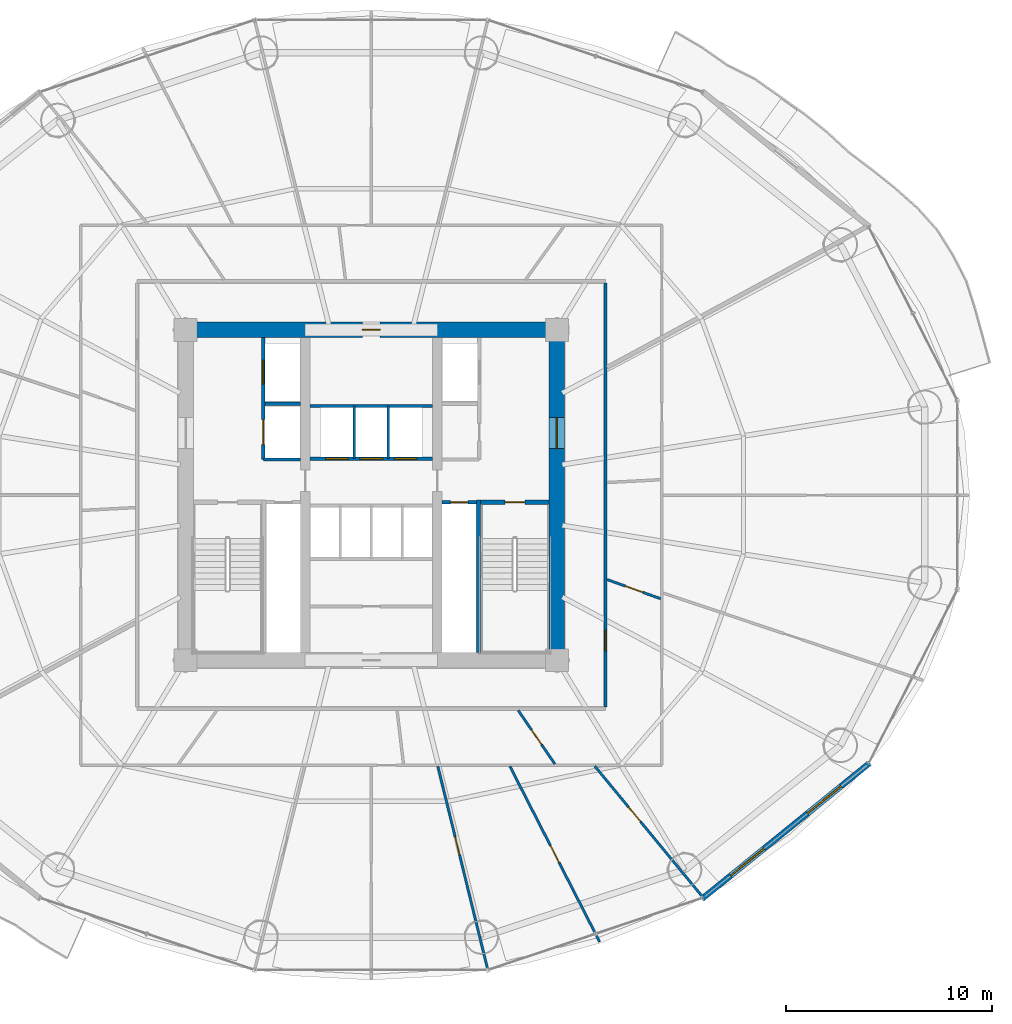
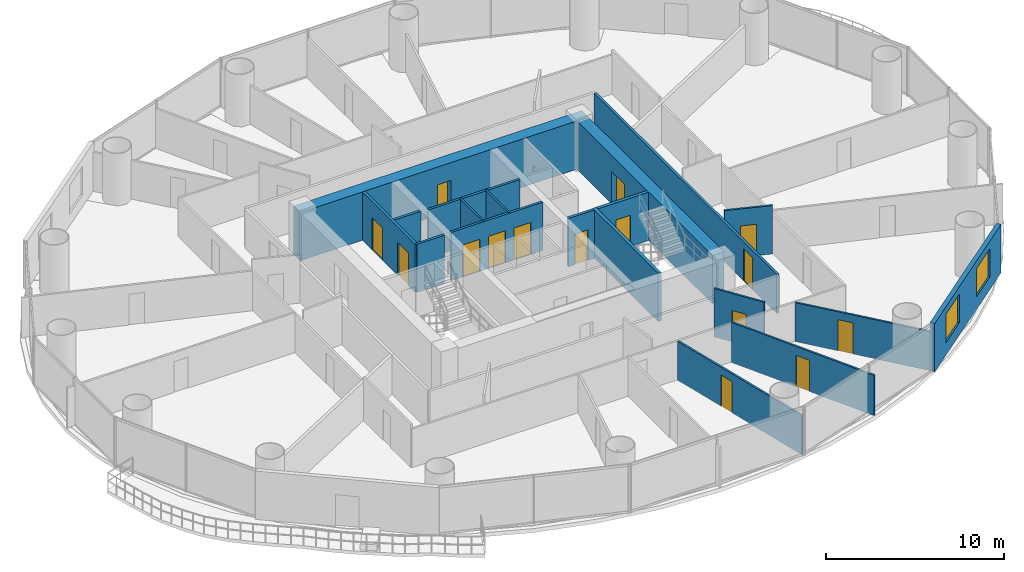
# One storey, part 24 of 30: 19 walls, 15 doors, 2 windows, 17 openings.
"""IFC4 building model written with IfcOpenShell, lengths in metres."""

from ifc_helpers import new_model, si_unit, direction, frame, frame_2d, origin, place, context, subcontext, project, spatial, rectangle, extrude, source, transform, mapped, material, layer, layer_set, type_object, element, fill, save


model = new_model("IFC4")

# Units and contexts
model_context = context("Model", 3, precision=1e-05, world=origin(), true_north=direction((-0.2419218956, 0.970295726276)))
body_context = subcontext(model_context, "Body", "Model", "MODEL_VIEW")
ifc_project = project(units=[si_unit("LENGTHUNIT", "METRE"), si_unit("AREAUNIT", "SQUARE_METRE"), si_unit("VOLUMEUNIT", "CUBIC_METRE"), si_unit("PLANEANGLEUNIT", "RADIAN"), si_unit("MASSUNIT", "GRAM", prefix="KILO")], contexts=[model_context])

# Site, building, storey
site_placement = place(None, origin())
site = spatial("IfcSite", under=ifc_project, at=site_placement, CompositionType="ELEMENT")
building_placement = place(site_placement, origin())
building = spatial("IfcBuilding", under=site, at=building_placement, Name="Cobrevalo Terracotta Tower", CompositionType="ELEMENT")
storey_placement = place(building_placement, frame((0.0, 0.0, 60.0)))
storey = spatial("IfcBuildingStorey", under=building, at=storey_placement, Name="L15", CompositionType="ELEMENT", Elevation=60.0)

# Wall, opening, door
ifc_material_1 = material(Name="Concrete C60", Category="concrete")
ifc_layer_1 = layer(ifc_material_1, 0.75)
ifc_layer_set_1 = layer_set([ifc_layer_1], Name="Concrete C60")
wall_type_1 = type_object("IfcWallType", Name="Core shear wall 750 mm Concrete C60", PredefinedType="SHEAR", material=ifc_layer_set_1)
wall_1_placement = place(storey_placement, frame((28.625, 34.800048828125, 0.0), z_axis=(0.0, 0.0, 1.0), x_axis=(1.0, 0.0, 0.0)))
wall_1 = element("IfcWall", 1, at=wall_1_placement, inside=storey, type_object=wall_type_1, Name="L15 north core shear wall", PredefinedType="SHEAR", context=body_context, shape_type="SweptSolid", body=[
    extrude(rectangle(XDim=18.75, YDim=0.75, at=frame_2d((9.375, 0.0))), origin(), (0.0, 0.0, 1.0), 3.320068359375),
])
opening_1_placement = place(wall_1_placement, frame((8.949951171875, 0.0, 0.0)))
opening_1 = element("IfcOpeningElement", 2, at=opening_1_placement, cuts=wall_1, Name="Opening ID-22", PredefinedType="OPENING", context=body_context, shape_type="SweptSolid", body=[
    extrude(rectangle(XDim=0.85009765625, YDim=2.10009765625, at=frame_2d((0.425048828125, 1.050048828125))), frame((0.0, 0.385009765625, 0.0), z_axis=(0.0, -1.0, 0.0), x_axis=(1.0, 0.0, 0.0)), (0.0, 0.0, 1.0), 0.77001953125),
])
ifc_material_2 = material(Name="Powder-coated steel", Category="steel")
door_type_1 = type_object("IfcDoorType", Name="Riser shaft & meter closet fire access door 850x2100 EI 60", OperationType="NOTDEFINED", PredefinedType="DOOR", material=ifc_material_2)
shared_shape_1 = source(origin(), body_context, "Body", "SweptSolid", [
    extrude(rectangle(XDim=0.85009765625, YDim=2.10009765625, at=frame_2d((0.425048828125, 1.050048828125))), frame((0.0, 0.02490234375, 0.0), z_axis=(0.0, -1.0, 0.0), x_axis=(1.0, 0.0, 0.0)), (0.0, 0.0, 1.0), 0.050048828125),
])
door_1_placement = place(opening_1_placement, frame((0.85009765625, 0.0, 0.0), z_axis=(0.0, 0.0, 1.0), x_axis=(-1.0, 0.0, 0.0)))
door_1 = element("IfcDoor", 3, at=door_1_placement, inside=storey, type_object=door_type_1, Name="L15 core north service door Floor Electrical Switchroom", OperationType="SINGLE_SWING_LEFT", OverallHeight=2.10009765625, OverallWidth=0.85009765625, PredefinedType="DOOR", context=body_context, shape_type="MappedRepresentation", body=[
    mapped(shared_shape_1, transform((0.0, 0.0, 0.0), scale=1.0)),
])
fill(opening_1, door_1)

wall_2_placement = place(storey_placement, frame((47.0, 19.175048828125, 0.0), z_axis=(0.0, 0.0, 1.0), x_axis=(0.0, 1.0, 0.0)))
wall_2 = element("IfcWall", 4, at=wall_2_placement, inside=storey, type_object=wall_type_1, Name="L15 east core shear wall", PredefinedType="SHEAR", context=body_context, shape_type="SweptSolid", body=[
    extrude(rectangle(XDim=15.25, YDim=0.75, at=frame_2d((7.625, 0.0))), origin(), (0.0, 0.0, 1.0), 3.320068359375),
])
opening_2_placement = place(wall_2_placement, frame((9.875, 0.0, 0.0)))
opening_2 = element("IfcOpeningElement", 5, at=opening_2_placement, cuts=wall_2, Name="Opening ID-14", PredefinedType="OPENING", context=body_context, shape_type="SweptSolid", body=[
    extrude(rectangle(XDim=1.5, YDim=2.199951171875, at=frame_2d((0.75, 1.10009765625))), frame((0.0, 0.385009765625, 0.0), z_axis=(0.0, -1.0, 0.0), x_axis=(1.0, 0.0, 0.0)), (0.0, 0.0, 1.0), 0.77001953125),
])
ifc_material_3 = material(Name="Galvanized fire-rated steel", Category="steel")
door_type_2 = type_object("IfcDoorType", Name="Core cross-lobby double fire door 1500x2200 EI 90", OperationType="NOTDEFINED", PredefinedType="DOOR", material=ifc_material_3)
shared_shape_2 = source(origin(), body_context, "Body", "SweptSolid", [
    extrude(rectangle(XDim=1.5, YDim=2.199951171875, at=frame_2d((0.75, 1.10009765625))), frame((0.0, 0.02490234375, 0.0), z_axis=(0.0, -1.0, 0.0), x_axis=(1.0, 0.0, 0.0)), (0.0, 0.0, 1.0), 0.050048828125),
])
door_2_placement = place(opening_2_placement, frame((1.5, 0.0, 0.0), z_axis=(0.0, 0.0, 1.0), x_axis=(-1.0, 0.0, 0.0)))
door_2 = element("IfcDoor", 6, at=door_2_placement, inside=storey, type_object=door_type_2, Name="L15 east firefighting lobby entrance door", OperationType="DOUBLE_DOOR_SINGLE_SWING", OverallHeight=2.199951171875, OverallWidth=1.5, PredefinedType="DOOR", context=body_context, shape_type="MappedRepresentation", body=[
    mapped(shared_shape_2, transform((0.0, 0.0, 0.0), scale=1.0)),
])
fill(opening_2, door_2)

# Walls
ifc_material_4 = material(Name="Gypsum board on steel stud", Category="steel")
ifc_layer_2 = layer(ifc_material_4, 0.159912109375)
ifc_layer_set_2 = layer_set([ifc_layer_2], Name="Gypsum board on steel stud")
wall_type_2 = type_object("IfcWallType", Name="Fire-rated corridor acoustic partition wall 160 mm", PredefinedType="PARTITIONING", material=ifc_layer_set_2)
wall_3_placement = place(storey_placement, frame((32.860107421875, 31.219970703125, 0.0), z_axis=(0.0, 0.0, 1.0), x_axis=(1.0, 0.0, 0.0)))
element("IfcWall", 7, at=wall_3_placement, inside=storey, type_object=wall_type_2, Name="L15 interior partition IW-L15-FF1-M", PredefinedType="PARTITIONING", context=body_context, shape_type="SweptSolid", body=[
    extrude(rectangle(XDim=1.71484375, YDim=0.159912109375, at=frame_2d((0.857421875, 0.0))), origin(), (0.0, 0.0, 1.0), 3.320068359375),
])
wall_4_placement = place(storey_placement, frame((32.77001953125, 28.52001953125, 0.0), z_axis=(0.0, 0.0, 1.0), x_axis=(1.0, 0.0, 0.0)))
element("IfcWall", 8, at=wall_4_placement, inside=storey, type_object=wall_type_2, Name="L15 interior partition IW-L15-FF1-S", PredefinedType="PARTITIONING", context=body_context, shape_type="SweptSolid", body=[
    extrude(rectangle(XDim=1.804931640625, YDim=0.159912109375, at=frame_2d((0.90234375, 0.0))), origin(), (0.0, 0.0, 1.0), 3.320068359375),
])

# Wall, openings, doors
wall_5_placement = place(storey_placement, frame((35.02490234375, 28.56005859375, 0.0), z_axis=(0.0, 0.0, 1.0), x_axis=(1.0, 0.0, 0.0)))
wall_5 = element("IfcWall", 9, at=wall_5_placement, inside=storey, type_object=wall_type_2, Name="L15 interior partition IW-L15-LB-S", PredefinedType="PARTITIONING", context=body_context, shape_type="SweptSolid", body=[
    extrude(rectangle(XDim=5.9501953125, YDim=0.159912109375, at=frame_2d((2.97509765625, 0.0))), origin(), (0.0, 0.0, 1.0), 3.320068359375),
])
opening_3_placement = place(wall_5_placement, frame((0.760009765625, 0.0, 0.0)))
opening_3 = element("IfcOpeningElement", 10, at=opening_3_placement, cuts=wall_5, Name="Opening LD-01", PredefinedType="OPENING", context=body_context, shape_type="SweptSolid", body=[
    extrude(rectangle(XDim=1.10009765625, YDim=2.199951171875, at=frame_2d((0.550048828125, 1.10009765625))), frame((0.0, 0.08984375, 0.0), z_axis=(0.0, -1.0, 0.0), x_axis=(1.0, 0.0, 0.0)), (0.0, 0.0, 1.0), 0.179931640625),
])
opening_4_placement = place(wall_5_placement, frame((2.425048828125, 0.0, 0.0)))
opening_4 = element("IfcOpeningElement", 11, at=opening_4_placement, cuts=wall_5, Name="Opening LD-01", PredefinedType="OPENING", context=body_context, shape_type="SweptSolid", body=[
    extrude(rectangle(XDim=1.10009765625, YDim=2.199951171875, at=frame_2d((0.550048828125, 1.10009765625))), frame((0.0, 0.08984375, 0.0), z_axis=(0.0, -1.0, 0.0), x_axis=(1.0, 0.0, 0.0)), (0.0, 0.0, 1.0), 0.179931640625),
])
opening_5_placement = place(wall_5_placement, frame((4.090087890625, 0.0, 0.0)))
opening_5 = element("IfcOpeningElement", 12, at=opening_5_placement, cuts=wall_5, Name="Opening LD-01", PredefinedType="OPENING", context=body_context, shape_type="SweptSolid", body=[
    extrude(rectangle(XDim=1.10009765625, YDim=2.199951171875, at=frame_2d((0.550048828125, 1.10009765625))), frame((0.0, 0.08984375, 0.0), z_axis=(0.0, -1.0, 0.0), x_axis=(1.0, 0.0, 0.0)), (0.0, 0.0, 1.0), 0.179931640625),
])
ifc_material_5 = material(Name="Brushed stainless steel", Category="steel")
door_type_3 = type_object("IfcDoorType", Name="Passenger lift landing bi-parting sliding door 1100x2200 EI 90", OperationType="DOUBLE_DOOR_SLIDING", PredefinedType="DOOR", material=ifc_material_5)
shared_shape_3 = source(origin(), body_context, "Body", "SweptSolid", [
    extrude(rectangle(XDim=1.10009765625, YDim=2.199951171875, at=frame_2d((0.550048828125, 1.10009765625))), frame((0.0, 0.02490234375, 0.0), z_axis=(0.0, -1.0, 0.0), x_axis=(1.0, 0.0, 0.0)), (0.0, 0.0, 1.0), 0.050048828125),
])
door_3_placement = place(opening_3_placement, origin())
door_3 = element("IfcDoor", 13, at=door_3_placement, inside=storey, type_object=door_type_3, Name="L15 lift landing door PL-L1", OperationType="DOUBLE_DOOR_SLIDING", OverallHeight=2.199951171875, OverallWidth=1.10009765625, PredefinedType="DOOR", context=body_context, shape_type="MappedRepresentation", body=[
    mapped(shared_shape_3, transform((0.0, 0.0, 0.0), scale=1.0)),
])
fill(opening_3, door_3)
door_4_placement = place(opening_4_placement, origin())
door_4 = element("IfcDoor", 14, at=door_4_placement, inside=storey, type_object=door_type_3, Name="L15 lift landing door PL-L2", OperationType="DOUBLE_DOOR_SLIDING", OverallHeight=2.199951171875, OverallWidth=1.10009765625, PredefinedType="DOOR", context=body_context, shape_type="MappedRepresentation", body=[
    mapped(shared_shape_3, transform((0.0, 0.0, 0.0), scale=1.0)),
])
fill(opening_4, door_4)
door_5_placement = place(opening_5_placement, origin())
door_5 = element("IfcDoor", 15, at=door_5_placement, inside=storey, type_object=door_type_3, Name="L15 lift landing door PL-L3", OperationType="DOUBLE_DOOR_SLIDING", OverallHeight=2.199951171875, OverallWidth=1.10009765625, PredefinedType="DOOR", context=body_context, shape_type="MappedRepresentation", body=[
    mapped(shared_shape_3, transform((0.0, 0.0, 0.0), scale=1.0)),
])
fill(opening_5, door_5)

# Wall
wall_6_placement = place(storey_placement, frame((35.02490234375, 31.1201171875, 0.0), z_axis=(0.0, 0.0, 1.0), x_axis=(1.0, 0.0, 0.0)))
element("IfcWall", 16, at=wall_6_placement, inside=storey, type_object=wall_type_2, Name="L15 interior partition IW-L15-LB-N", PredefinedType="PARTITIONING", context=body_context, shape_type="SweptSolid", body=[
    extrude(rectangle(XDim=5.9501953125, YDim=0.159912109375, at=frame_2d((2.97509765625, 0.0))), origin(), (0.0, 0.0, 1.0), 3.320068359375),
])

# Wall, opening, door
wall_7_placement = place(storey_placement, frame((49.35498046875, 16.52490234375, 0.0), z_axis=(0.0, 0.0, 1.0), x_axis=(0.0, 1.0, 0.0)))
wall_7 = element("IfcWall", 17, at=wall_7_placement, inside=storey, type_object=wall_type_2, Name="L15 interior partition IW-L15-COR-E", PredefinedType="PARTITIONING", context=body_context, shape_type="SweptSolid", body=[
    extrude(rectangle(XDim=20.550048828125, YDim=0.159912109375, at=frame_2d((10.27490234375, 0.0))), origin(), (0.0, 0.0, 1.0), 2.68798828125),
])
opening_6_placement = place(wall_7_placement, frame((2.733154296875, 0.0, 0.0)))
opening_6 = element("IfcOpeningElement", 18, at=opening_6_placement, cuts=wall_7, Name="Opening ID-05", PredefinedType="OPENING", context=body_context, shape_type="SweptSolid", body=[
    extrude(rectangle(XDim=0.97998046875, YDim=2.199951171875, at=frame_2d((0.489990234375, 1.10009765625))), frame((0.0, 0.08984375, 0.0), z_axis=(0.0, -1.0, 0.0), x_axis=(1.0, 0.0, 0.0)), (0.0, 0.0, 1.0), 0.179931640625),
])
ifc_material_6 = material(Name="Solid hardwood timber", Category="wood")
door_type_4 = type_object("IfcDoorType", Name="Residence entrance fire-rated acoustic timber door 980x2200 EI 60", OperationType="NOTDEFINED", PredefinedType="DOOR", material=ifc_material_6)
shared_shape_4 = source(origin(), body_context, "Body", "SweptSolid", [
    extrude(rectangle(XDim=0.97998046875, YDim=2.199951171875, at=frame_2d((0.489990234375, 1.10009765625))), frame((0.0, 0.02490234375, 0.0), z_axis=(0.0, -1.0, 0.0), x_axis=(1.0, 0.0, 0.0)), (0.0, 0.0, 1.0), 0.050048828125),
])
door_6_placement = place(opening_6_placement, frame((0.97998046875, 0.0, 0.0), z_axis=(0.0, 0.0, 1.0), x_axis=(-1.0, 0.0, 0.0)))
door_6 = element("IfcDoor", 19, at=door_6_placement, inside=storey, type_object=door_type_4, Name="Flat L15B fire-rated apartment entrance door", OperationType="SINGLE_SWING_LEFT", OverallHeight=2.199951171875, OverallWidth=0.97998046875, PredefinedType="DOOR", context=body_context, shape_type="MappedRepresentation", body=[
    mapped(shared_shape_4, transform((0.0, 0.0, 0.0), scale=1.0)),
])
fill(opening_6, door_6)

ifc_layer_3 = layer(ifc_material_4, 0.179931640625)
ifc_layer_set_3 = layer_set([ifc_layer_3], Name="Gypsum board on steel stud")
wall_type_3 = type_object("IfcWallType", Name="Fire-rated shaft & lobby acoustic partition wall 180 mm", PredefinedType="PARTITIONING", material=ifc_layer_set_3)
wall_8_placement = place(storey_placement, frame((41.425048828125, 26.449951171875, 0.0), z_axis=(0.0, 0.0, 1.0), x_axis=(1.0, 0.0, 0.0)))
wall_8 = element("IfcWall", 20, at=wall_8_placement, inside=storey, type_object=wall_type_3, Name="L15 interior partition IW-L15-RSE-N", PredefinedType="PARTITIONING", context=body_context, shape_type="SweptSolid", body=[
    extrude(rectangle(XDim=1.675048828125, YDim=0.179931640625, at=frame_2d((0.83740234375, 0.0))), origin(), (0.0, 0.0, 1.0), 3.320068359375),
])
opening_7_placement = place(wall_8_placement, frame((0.41259765625, 0.0, 0.0)))
opening_7 = element("IfcOpeningElement", 21, at=opening_7_placement, cuts=wall_8, Name="Opening ID-22", PredefinedType="OPENING", context=body_context, shape_type="SweptSolid", body=[
    extrude(rectangle(XDim=0.85009765625, YDim=2.10009765625, at=frame_2d((0.425048828125, 1.050048828125))), frame((0.0, 0.10009765625, 0.0), z_axis=(0.0, -1.0, 0.0), x_axis=(1.0, 0.0, 0.0)), (0.0, 0.0, 1.0), 0.199951171875),
])
door_7_placement = place(opening_7_placement, origin())
door_7 = element("IfcDoor", 22, at=door_7_placement, inside=storey, type_object=door_type_1, Name="L15 riser access door RSE", OperationType="SINGLE_SWING_RIGHT", OverallHeight=2.10009765625, OverallWidth=0.85009765625, PredefinedType="DOOR", context=body_context, shape_type="MappedRepresentation", body=[
    mapped(shared_shape_1, transform((0.0, 0.0, 0.0), scale=1.0)),
])
fill(opening_7, door_7)

# Wall, openings, doors
wall_9_placement = place(storey_placement, frame((32.77001953125, 28.52001953125, 0.0), z_axis=(0.0, 0.0, 1.0), x_axis=(0.0, 1.0, 0.0)))
wall_9 = element("IfcWall", 23, at=wall_9_placement, inside=storey, type_object=wall_type_3, Name="L15 interior partition IW-L15-FF1-W", PredefinedType="PARTITIONING", context=body_context, shape_type="SweptSolid", body=[
    extrude(rectangle(XDim=5.905029296875, YDim=0.179931640625, at=frame_2d((2.95263671875, 0.0))), origin(), (0.0, 0.0, 1.0), 3.320068359375),
])
opening_8_placement = place(wall_9_placement, frame((3.655029296875, 0.0, 0.0)))
opening_8 = element("IfcOpeningElement", 24, at=opening_8_placement, cuts=wall_9, Name="Opening LD-02", PredefinedType="OPENING", context=body_context, shape_type="SweptSolid", body=[
    extrude(rectangle(XDim=1.14990234375, YDim=2.199951171875, at=frame_2d((0.574951171875, 1.10009765625))), frame((0.0, 0.10009765625, 0.0), z_axis=(0.0, -1.0, 0.0), x_axis=(1.0, 0.0, 0.0)), (0.0, 0.0, 1.0), 0.199951171875),
])
opening_9_placement = place(wall_9_placement, frame((0.72998046875, 0.0, 0.0)))
opening_9 = element("IfcOpeningElement", 25, at=opening_9_placement, cuts=wall_9, Name="Opening LD-03", PredefinedType="OPENING", context=body_context, shape_type="SweptSolid", body=[
    extrude(rectangle(XDim=1.199951171875, YDim=2.25, at=frame_2d((0.60009765625, 1.125))), frame((0.0, 0.10009765625, 0.0), z_axis=(0.0, -1.0, 0.0), x_axis=(1.0, 0.0, 0.0)), (0.0, 0.0, 1.0), 0.199951171875),
])
door_type_5 = type_object("IfcDoorType", Name="Firefighting lift landing bi-parting sliding door 1150x2200 EI 120", OperationType="DOUBLE_DOOR_SLIDING", PredefinedType="DOOR", material=ifc_material_5)
shared_shape_5 = source(origin(), body_context, "Body", "SweptSolid", [
    extrude(rectangle(XDim=1.14990234375, YDim=2.199951171875, at=frame_2d((0.574951171875, 1.10009765625))), frame((0.0, 0.02490234375, 0.0), z_axis=(0.0, -1.0, 0.0), x_axis=(1.0, 0.0, 0.0)), (0.0, 0.0, 1.0), 0.050048828125),
])
door_8_placement = place(opening_8_placement, origin())
door_8 = element("IfcDoor", 26, at=door_8_placement, inside=storey, type_object=door_type_5, Name="L15 lift landing door FF-1", OperationType="DOUBLE_DOOR_SLIDING", OverallHeight=2.199951171875, OverallWidth=1.14990234375, PredefinedType="DOOR", context=body_context, shape_type="MappedRepresentation", body=[
    mapped(shared_shape_5, transform((0.0, 0.0, 0.0), scale=1.0)),
])
fill(opening_8, door_8)
door_type_6 = type_object("IfcDoorType", Name="Service lift landing bi-parting sliding door 1200x2250 EI 120", OperationType="DOUBLE_DOOR_SLIDING", PredefinedType="DOOR", material=ifc_material_5)
shared_shape_6 = source(origin(), body_context, "Body", "SweptSolid", [
    extrude(rectangle(XDim=1.199951171875, YDim=2.25, at=frame_2d((0.60009765625, 1.125))), frame((0.0, 0.02490234375, 0.0), z_axis=(0.0, -1.0, 0.0), x_axis=(1.0, 0.0, 0.0)), (0.0, 0.0, 1.0), 0.050048828125),
])
door_9_placement = place(opening_9_placement, origin())
door_9 = element("IfcDoor", 27, at=door_9_placement, inside=storey, type_object=door_type_6, Name="L15 lift landing door SV-1", OperationType="DOUBLE_DOOR_SLIDING", OverallHeight=2.25, OverallWidth=1.199951171875, PredefinedType="DOOR", context=body_context, shape_type="MappedRepresentation", body=[
    mapped(shared_shape_6, transform((0.0, 0.0, 0.0), scale=1.0)),
])
fill(opening_9, door_9)

# Walls
ifc_material_7 = material(Name="Autoclaved aerated concrete block", Category="concrete")
ifc_layer_4 = layer(ifc_material_7, 0.1201171875)
ifc_layer_set_4 = layer_set([ifc_layer_4], Name="Autoclaved aerated concrete block")
wall_type_4 = type_object("IfcWallType", Name="Fire-rated wet-room & core service partition 120 mm", PredefinedType="PARTITIONING", material=ifc_layer_set_4)
for number, where, z_axis, x_axis, name in (
    (28, (37.169921875, 28.56005859375, 0.0), (0.0, 0.0, 1.0), (0.0, 1.0, 0.0), "L15 interior partition IW-L15-LB-D1"),
    (29, (38.830078125, 28.56005859375, 0.0), (0.0, 0.0, 1.0), (0.0, 1.0, 0.0), "L15 interior partition IW-L15-LB-D2"),
):
    element("IfcWall", number, at=place(storey_placement, frame(where, z_axis=z_axis, x_axis=x_axis)), inside=storey, type_object=wall_type_4, Name=name, PredefinedType="PARTITIONING", context=body_context, shape_type="SweptSolid", body=[
        extrude(rectangle(XDim=2.56005859375, YDim=0.1201171875, at=frame_2d((1.280029296875, 0.0))), origin(), (0.0, 0.0, 1.0), 3.320068359375),
    ])

# Wall, openings, windows
ifc_layer_5 = layer(ifc_material_7, 0.280029296875)
ifc_layer_set_5 = layer_set([ifc_layer_5], Name="Autoclaved aerated concrete block")
wall_type_5 = type_object("IfcWallType", Name="Insulated tower spandrel & pier wall 280 mm with terracotta rainscreen", PredefinedType="SOLIDWALL", material=ifc_layer_set_5)
wall_10_placement = place(storey_placement, frame((54.03271484375, 7.235107421875, 0.0), z_axis=(0.0, 0.0, 1.0), x_axis=(0.777016782851, 0.629479879875, 0.0)))
wall_10 = element("IfcWall", 30, at=wall_10_placement, inside=storey, type_object=wall_type_5, Name="L15 terracotta rainscreen pier wall S14", PredefinedType="SOLIDWALL", context=body_context, shape_type="SweptSolid", body=[
    extrude(rectangle(XDim=10.446533203125, YDim=0.280029296875, at=frame_2d((5.22314453125, 0.0))), origin(), (0.0, 0.0, 1.0), 3.320068359375),
])
opening_10_placement = place(wall_10_placement, frame((1.7705078125, 0.0, 0.85009765625)))
opening_10 = element("IfcOpeningElement", 31, at=opening_10_placement, cuts=wall_10, Name="Opening WN-10", PredefinedType="OPENING", context=body_context, shape_type="SweptSolid", body=[
    extrude(rectangle(XDim=2.10009765625, YDim=1.949951171875, at=frame_2d((1.050048828125, 0.97509765625))), frame((0.0, 0.14990234375, 0.0), z_axis=(0.0, -1.0, 0.0), x_axis=(1.0, 0.0, 0.0)), (0.0, 0.0, 1.0), 0.300048828125),
])
opening_11_placement = place(wall_10_placement, frame((6.576171875, 0.0, 0.85009765625)))
opening_11 = element("IfcOpeningElement", 32, at=opening_11_placement, cuts=wall_10, Name="Opening WN-10", PredefinedType="OPENING", context=body_context, shape_type="SweptSolid", body=[
    extrude(rectangle(XDim=2.10009765625, YDim=1.949951171875, at=frame_2d((1.050048828125, 0.97509765625))), frame((0.0, 0.14990234375, 0.0), z_axis=(0.0, -1.0, 0.0), x_axis=(1.0, 0.0, 0.0)), (0.0, 0.0, 1.0), 0.300048828125),
])
ifc_material_8 = material(Name="Solar-control low-E double glazing", Category="glass")
window_type = type_object("IfcWindowType", Name="Wide panoramic low-E aluminium window 2100x1950", PartitioningType="SINGLE_PANEL", PredefinedType="WINDOW", material=ifc_material_8)
shared_shape_7 = source(origin(), body_context, "Body", "SweptSolid", [
    extrude(rectangle(XDim=2.10009765625, YDim=1.949951171875, at=frame_2d((1.050048828125, 0.97509765625))), frame((0.0, 0.030029296875, 0.0), z_axis=(0.0, -1.0, 0.0), x_axis=(1.0, 0.0, 0.0)), (0.0, 0.0, 1.0), 0.06005859375),
])
window_1_placement = place(opening_10_placement, origin())
window_1 = element("IfcWindow", 33, at=window_1_placement, inside=storey, type_object=window_type, Name="L15 suite window S14A", OverallHeight=1.949951171875, OverallWidth=2.10009765625, PartitioningType="SINGLE_PANEL", PredefinedType="WINDOW", context=body_context, shape_type="MappedRepresentation", body=[
    mapped(shared_shape_7, transform((0.0, 0.0, 0.0), scale=1.0)),
])
fill(opening_10, window_1)
window_2_placement = place(opening_11_placement, origin())
window_2 = element("IfcWindow", 34, at=window_2_placement, inside=storey, type_object=window_type, Name="L15 suite window S14B", OverallHeight=1.949951171875, OverallWidth=2.10009765625, PartitioningType="SINGLE_PANEL", PredefinedType="WINDOW", context=body_context, shape_type="MappedRepresentation", body=[
    mapped(shared_shape_7, transform((0.0, 0.0, 0.0), scale=1.0)),
])
fill(opening_11, window_2)

# Wall, opening, door
ifc_layer_6 = layer(ifc_material_4, 0.1201171875)
ifc_layer_set_6 = layer_set([ifc_layer_6], Name="Gypsum board on steel stud")
wall_type_6 = type_object("IfcWallType", Name="Residential internal acoustic stud partition 120 mm", PredefinedType="PARTITIONING", material=ifc_layer_set_6)
wall_11_placement = place(storey_placement, frame((41.226806640625, 13.65478515625, 0.0), z_axis=(0.0, 0.0, 1.0), x_axis=(0.238375747469, -0.97117300365, 0.0)))
wall_11 = element("IfcWall", 35, at=wall_11_placement, inside=storey, type_object=wall_type_6, Name="L15 interior partition IW-L15-U2-ORAD2", PredefinedType="PARTITIONING", context=body_context, shape_type="SweptSolid", body=[
    extrude(rectangle(XDim=10.086181640625, YDim=0.1201171875, at=frame_2d((5.04296875, 0.0))), origin(), (0.0, 0.0, 1.0), 2.68798828125),
])
opening_12_placement = place(wall_11_placement, frame((3.5185546875, 0.0, 0.0)))
opening_12 = element("IfcOpeningElement", 36, at=opening_12_placement, cuts=wall_11, Name="Opening ID-12", PredefinedType="OPENING", context=body_context, shape_type="SweptSolid", body=[
    extrude(rectangle(XDim=0.89990234375, YDim=2.14990234375, at=frame_2d((0.449951171875, 1.074951171875))), frame((0.0, 0.070068359375, 0.0), z_axis=(0.0, -1.0, 0.0), x_axis=(1.0, 0.0, 0.0)), (0.0, 0.0, 1.0), 0.14013671875),
])
ifc_material_9 = material(Name="Engineered timber", Category="wood")
door_type_7 = type_object("IfcDoorType", Name="Internal residence & suite timber door 900x2150", OperationType="NOTDEFINED", PredefinedType="DOOR", material=ifc_material_9)
shared_shape_8 = source(origin(), body_context, "Body", "SweptSolid", [
    extrude(rectangle(XDim=0.89990234375, YDim=2.14990234375, at=frame_2d((0.449951171875, 1.074951171875))), frame((0.0, 0.02490234375, 0.0), z_axis=(0.0, -1.0, 0.0), x_axis=(1.0, 0.0, 0.0)), (0.0, 0.0, 1.0), 0.050048828125),
])
door_10_placement = place(opening_12_placement, frame((0.89990234375, 0.0, 0.0), z_axis=(0.0, 0.0, 1.0), x_axis=(-1.0, 0.0, 0.0)))
door_10 = element("IfcDoor", 37, at=door_10_placement, inside=storey, type_object=door_type_7, Name="Flat L15B Principal Guest Bedroom internal door", OperationType="SINGLE_SWING_RIGHT", OverallHeight=2.14990234375, OverallWidth=0.89990234375, PredefinedType="DOOR", context=body_context, shape_type="MappedRepresentation", body=[
    mapped(shared_shape_8, transform((0.0, 0.0, 0.0), scale=1.0)),
])
fill(opening_12, door_10)

wall_12_placement = place(storey_placement, frame((44.716796875, 13.65966796875, 0.0), z_axis=(0.0, 0.0, 1.0), x_axis=(0.455131303234, -0.890424335256, 0.0)))
wall_12 = element("IfcWall", 38, at=wall_12_placement, inside=storey, type_object=wall_type_6, Name="L15 interior partition IW-L15-U2-ORAD3M1", PredefinedType="PARTITIONING", context=body_context, shape_type="SweptSolid", body=[
    extrude(rectangle(XDim=9.562255859375, YDim=0.1201171875, at=frame_2d((4.78125, 0.0))), origin(), (0.0, 0.0, 1.0), 2.761962890625),
])
opening_13_placement = place(wall_12_placement, frame((4.3310546875, 0.0, 0.0)))
opening_13 = element("IfcOpeningElement", 39, at=opening_13_placement, cuts=wall_12, Name="Opening ID-12", PredefinedType="OPENING", context=body_context, shape_type="SweptSolid", body=[
    extrude(rectangle(XDim=0.89990234375, YDim=2.14990234375, at=frame_2d((0.449951171875, 1.074951171875))), frame((0.0, 0.070068359375, 0.0), z_axis=(0.0, -1.0, 0.0), x_axis=(1.0, 0.0, 0.0)), (0.0, 0.0, 1.0), 0.14013671875),
])
door_11_placement = place(opening_13_placement, frame((0.89990234375, 0.0, 0.0), z_axis=(0.0, 0.0, 1.0), x_axis=(-1.0, 0.0, 0.0)))
door_11 = element("IfcDoor", 40, at=door_11_placement, inside=storey, type_object=door_type_7, Name="Flat L15B Principal Guest Bedroom internal door", OperationType="SINGLE_SWING_LEFT", OverallHeight=2.14990234375, OverallWidth=0.89990234375, PredefinedType="DOOR", context=body_context, shape_type="MappedRepresentation", body=[
    mapped(shared_shape_8, transform((0.0, 0.0, 0.0), scale=1.0)),
])
fill(opening_13, door_11)

wall_13_placement = place(storey_placement, frame((48.828857421875, 13.667236328125, 0.0), z_axis=(0.0, 0.0, 1.0), x_axis=(0.636177533893, -0.771542704826, 0.0)))
wall_13 = element("IfcWall", 41, at=wall_13_placement, inside=storey, type_object=wall_type_6, Name="L15 interior partition IW-L15-U2-ORAD3", PredefinedType="PARTITIONING", context=body_context, shape_type="SweptSolid", body=[
    extrude(rectangle(XDim=8.1865234375, YDim=0.1201171875, at=frame_2d((4.09326171875, 0.0))), origin(), (0.0, 0.0, 1.0), 2.68798828125),
])
opening_14_placement = place(wall_13_placement, frame((2.584228515625, 0.0, 0.0)))
opening_14 = element("IfcOpeningElement", 42, at=opening_14_placement, cuts=wall_13, Name="Opening ID-12", PredefinedType="OPENING", context=body_context, shape_type="SweptSolid", body=[
    extrude(rectangle(XDim=0.89990234375, YDim=2.14990234375, at=frame_2d((0.449951171875, 1.074951171875))), frame((0.0, 0.070068359375, 0.0), z_axis=(0.0, -1.0, 0.0), x_axis=(1.0, 0.0, 0.0)), (0.0, 0.0, 1.0), 0.14013671875),
])
door_12_placement = place(opening_14_placement, frame((0.89990234375, 0.0, 0.0), z_axis=(0.0, 0.0, 1.0), x_axis=(-1.0, 0.0, 0.0)))
door_12 = element("IfcDoor", 43, at=door_12_placement, inside=storey, type_object=door_type_7, Name="Flat L15B Principal Guest Bedroom internal door", OperationType="SINGLE_SWING_RIGHT", OverallHeight=2.14990234375, OverallWidth=0.89990234375, PredefinedType="DOOR", context=body_context, shape_type="MappedRepresentation", body=[
    mapped(shared_shape_8, transform((0.0, 0.0, 0.0), scale=1.0)),
])
fill(opening_14, door_12)

wall_14_placement = place(storey_placement, frame((45.123291015625, 16.364990234375, 0.0), z_axis=(0.0, 0.0, 1.0), x_axis=(0.563762888243, -0.825936683917, 0.0)))
wall_14 = element("IfcWall", 44, at=wall_14_placement, inside=storey, type_object=wall_type_6, Name="L15 interior partition IW-L15-U2-IRAD3", PredefinedType="PARTITIONING", context=body_context, shape_type="SweptSolid", body=[
    extrude(rectangle(XDim=3.146484375, YDim=0.1201171875, at=frame_2d((1.5732421875, 0.0))), origin(), (0.0, 0.0, 1.0), 3.320068359375),
])
opening_15_placement = place(wall_14_placement, frame((1.143310546875, 0.0, 0.0)))
opening_15 = element("IfcOpeningElement", 45, at=opening_15_placement, cuts=wall_14, Name="Opening ID-19", PredefinedType="OPENING", context=body_context, shape_type="SweptSolid", body=[
    extrude(rectangle(XDim=0.860107421875, YDim=2.14990234375, at=frame_2d((0.43017578125, 1.074951171875))), frame((0.0, 0.070068359375, 0.0), z_axis=(0.0, -1.0, 0.0), x_axis=(1.0, 0.0, 0.0)), (0.0, 0.0, 1.0), 0.14013671875),
])
ifc_material_10 = material(Name="Moisture-sealed timber", Category="wood")
door_type_8 = type_object("IfcDoorType", Name="Suite bathroom internal timber door 860x2150", OperationType="NOTDEFINED", PredefinedType="DOOR", material=ifc_material_10)
shared_shape_9 = source(origin(), body_context, "Body", "SweptSolid", [
    extrude(rectangle(XDim=0.860107421875, YDim=2.14990234375, at=frame_2d((0.43017578125, 1.074951171875))), frame((0.0, 0.02490234375, 0.0), z_axis=(0.0, -1.0, 0.0), x_axis=(1.0, 0.0, 0.0)), (0.0, 0.0, 1.0), 0.050048828125),
])
door_13_placement = place(opening_15_placement, frame((0.860107421875, 0.0, 0.0), z_axis=(0.0, 0.0, 1.0), x_axis=(-1.0, 0.0, 0.0)))
door_13 = element("IfcDoor", 46, at=door_13_placement, inside=storey, type_object=door_type_8, Name="Flat L15B Primary Bathroom internal door", OperationType="SINGLE_SWING_RIGHT", OverallHeight=2.14990234375, OverallWidth=0.860107421875, PredefinedType="DOOR", context=body_context, shape_type="MappedRepresentation", body=[
    mapped(shared_shape_9, transform((0.0, 0.0, 0.0), scale=1.0)),
])
fill(opening_15, door_13)

wall_15_placement = place(storey_placement, frame((49.43505859375, 22.703369140625, 0.0), z_axis=(0.0, 0.0, 1.0), x_axis=(0.941406362049, -0.337274460186, 0.0)))
wall_15 = element("IfcWall", 47, at=wall_15_placement, inside=storey, type_object=wall_type_6, Name="L15 interior partition IW-L15-U2-IRAD4", PredefinedType="PARTITIONING", context=body_context, shape_type="SweptSolid", body=[
    extrude(rectangle(XDim=2.7529296875, YDim=0.1201171875, at=frame_2d((1.37646484375, 0.0))), origin(), (0.0, 0.0, 1.0), 3.320068359375),
])
opening_16_placement = place(wall_15_placement, frame((0.926513671875, 0.0, 0.0)))
opening_16 = element("IfcOpeningElement", 48, at=opening_16_placement, cuts=wall_15, Name="Opening ID-12", PredefinedType="OPENING", context=body_context, shape_type="SweptSolid", body=[
    extrude(rectangle(XDim=0.89990234375, YDim=2.14990234375, at=frame_2d((0.449951171875, 1.074951171875))), frame((0.0, 0.070068359375, 0.0), z_axis=(0.0, -1.0, 0.0), x_axis=(1.0, 0.0, 0.0)), (0.0, 0.0, 1.0), 0.14013671875),
])
door_14_placement = place(opening_16_placement, origin())
door_14 = element("IfcDoor", 49, at=door_14_placement, inside=storey, type_object=door_type_7, Name="Flat L15B Kitchen internal door", OperationType="SINGLE_SWING_LEFT", OverallHeight=2.14990234375, OverallWidth=0.89990234375, PredefinedType="DOOR", context=body_context, shape_type="MappedRepresentation", body=[
    mapped(shared_shape_8, transform((0.0, 0.0, 0.0), scale=1.0)),
])
fill(opening_16, door_14)

# Wall
ifc_material_11 = material(Name="Concrete C50", Category="concrete")
ifc_layer_7 = layer(ifc_material_11, 0.199951171875)
ifc_layer_set_7 = layer_set([ifc_layer_7], Name="Concrete C50")
wall_type_7 = type_object("IfcWallType", Name="Structural core & podium stair-shaft RC wall 200 mm Concrete C50", PredefinedType="SOLIDWALL", material=ifc_layer_set_7)
wall_16_placement = place(storey_placement, frame((43.205078125, 19.175048828125, 0.0), z_axis=(0.0, 0.0, 1.0), x_axis=(0.0, 1.0, 0.0)))
element("IfcWall", 50, at=wall_16_placement, inside=storey, type_object=wall_type_7, Name="L15 ST-2 west structural shaft wall", PredefinedType="SOLIDWALL", context=body_context, shape_type="SweptSolid", body=[
    extrude(rectangle(XDim=7.375, YDim=0.199951171875, at=frame_2d((3.6875, 0.0))), origin(), (0.0, 0.0, 1.0), 3.320068359375),
])

# Wall, opening, door
wall_17_placement = place(storey_placement, frame((43.304931640625, 26.449951171875, 0.0), z_axis=(0.0, 0.0, 1.0), x_axis=(1.0, 0.0, 0.0)))
wall_17 = element("IfcWall", 51, at=wall_17_placement, inside=storey, type_object=wall_type_7, Name="L15 ST-2 north structural shaft wall", PredefinedType="SOLIDWALL", context=body_context, shape_type="SweptSolid", body=[
    extrude(rectangle(XDim=3.320068359375, YDim=0.199951171875, at=frame_2d((1.66015625, 0.0))), origin(), (0.0, 0.0, 1.0), 3.320068359375),
])
opening_17_placement = place(wall_17_placement, frame((1.18505859375, 0.0, 0.0)))
opening_17 = element("IfcOpeningElement", 52, at=opening_17_placement, cuts=wall_17, Name="Opening ID-04", PredefinedType="OPENING", context=body_context, shape_type="SweptSolid", body=[
    extrude(rectangle(XDim=0.949951171875, YDim=2.14990234375, at=frame_2d((0.47509765625, 1.074951171875))), frame((0.0, 0.10986328125, 0.0), z_axis=(0.0, -1.0, 0.0), x_axis=(1.0, 0.0, 0.0)), (0.0, 0.0, 1.0), 0.219970703125),
])
door_type_9 = type_object("IfcDoorType", Name="Stair & firefighting lobby fire door 950x2150 EI 90", OperationType="NOTDEFINED", PredefinedType="DOOR", material=ifc_material_3)
shared_shape_10 = source(origin(), body_context, "Body", "SweptSolid", [
    extrude(rectangle(XDim=0.949951171875, YDim=2.14990234375, at=frame_2d((0.47509765625, 1.074951171875))), frame((0.0, 0.02490234375, 0.0), z_axis=(0.0, -1.0, 0.0), x_axis=(1.0, 0.0, 0.0)), (0.0, 0.0, 1.0), 0.050048828125),
])
door_15_placement = place(opening_17_placement, frame((0.949951171875, 0.0, 0.0), z_axis=(0.0, 0.0, 1.0), x_axis=(-1.0, 0.0, 0.0)))
door_15 = element("IfcDoor", 53, at=door_15_placement, inside=storey, type_object=door_type_9, Name="L15 protected stair ST2 fire door", OperationType="SINGLE_SWING_RIGHT", OverallHeight=2.14990234375, OverallWidth=0.949951171875, PredefinedType="DOOR", context=body_context, shape_type="MappedRepresentation", body=[
    mapped(shared_shape_10, transform((0.0, 0.0, 0.0), scale=1.0)),
])
fill(opening_17, door_15)

save(model, "model.ifc")
